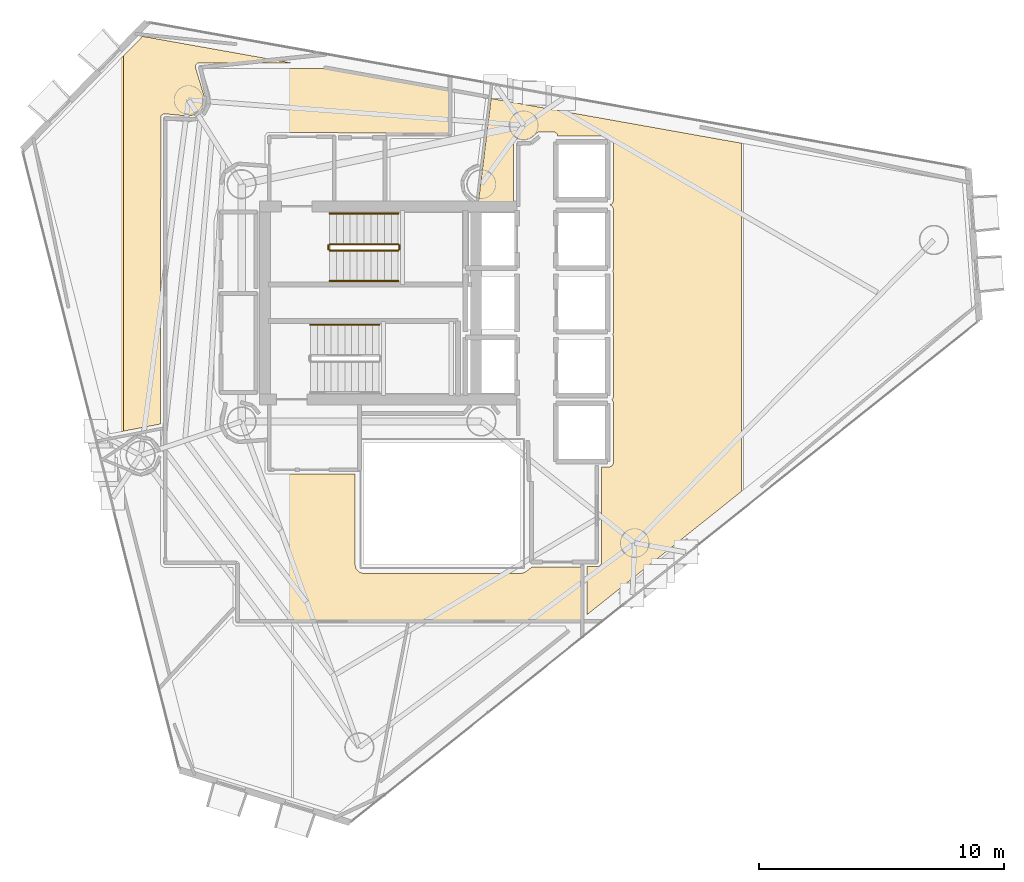
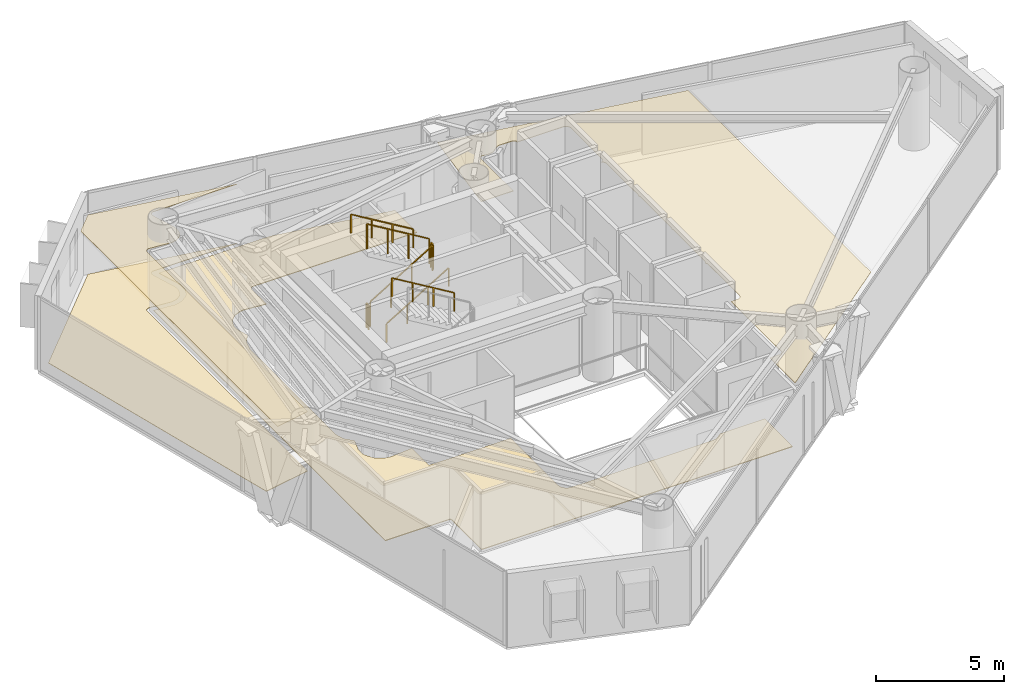
# One storey, part 21 of 22: 7 railings, 4 coverings.
"""IFC4 building model written with IfcOpenShell, lengths in metres."""

from ifc_helpers import new_model, si_unit, direction, frame, origin, origin_2d, place, context, subcontext, project, spatial, polyline, rectangle, outline, extrude, material, layer, layer_set, type_object, element, save


model = new_model("IFC4")

# Units and contexts
model_context = context("Model", 3, precision=1e-05, world=origin(), true_north=direction((0.0, 1.0)))
body_context = subcontext(model_context, "Body", "Model", "MODEL_VIEW")
ifc_project = project(units=[si_unit("LENGTHUNIT", "METRE"), si_unit("AREAUNIT", "SQUARE_METRE"), si_unit("VOLUMEUNIT", "CUBIC_METRE"), si_unit("PLANEANGLEUNIT", "RADIAN"), si_unit("MASSUNIT", "GRAM", prefix="KILO")], contexts=[model_context])

# Site, building, storey
site_placement = place(None, origin())
site = spatial("IfcSite", under=ifc_project, at=site_placement, CompositionType="ELEMENT")
building_placement = place(site_placement, origin())
building = spatial("IfcBuilding", under=site, at=building_placement, Name="Qianvela Tower", CompositionType="ELEMENT")
storey_placement = place(building_placement, frame((0.0, 0.0, 207.699951171875)))
storey = spatial("IfcBuildingStorey", under=building, at=storey_placement, Name="L53", CompositionType="ELEMENT", Elevation=207.699951171875)

# Coverings
ifc_material_1 = material(Name="Perforated Mineral Acoustic Ceiling Tile")
ifc_layer_1 = layer(ifc_material_1, 0.02490234375)
ifc_layer_set_1 = layer_set([ifc_layer_1], Name="Perforated Mineral Acoustic Ceiling Tile")
covering_type_1 = type_object("IfcCoveringType", Name="COV-CEIL-ACOUSTIC-25", PredefinedType="CEILING", material=ifc_layer_set_1)
covering_1_placement = place(storey_placement, frame((0.0, 0.0, 2.81494140625)))
element("IfcCovering", 1, at=covering_1_placement, inside=storey, type_object=covering_type_1, Name="L53 Acoustic Ceiling Bay 1 Student Reading Library L53-04", PredefinedType="CEILING", context=body_context, shape_type="SweptSolid", body=[
    extrude(outline(polyline([(42.70751953125, 17.920166015625), (43.157958984375, 17.92041015625), (43.165771484375, 17.9208984375), (43.173583984375, 17.921875), (43.18115234375, 17.923828125), (43.1884765625, 17.926513671875), (43.195556640625, 17.9296875), (43.202392578125, 17.933837890625), (43.20849609375, 17.9384765625), (43.21435546875, 17.94384765625), (43.2861328125, 18.015625), (43.29150390625, 18.021484375), (43.296142578125, 18.027587890625), (43.30029296875, 18.034423828125), (43.303466796875, 18.04150390625), (43.30615234375, 18.048828125), (43.30810546875, 18.056640625), (43.30908203125, 18.064208984375), (43.3095703125, 18.072265625), (43.309326171875, 21.980712890625), (43.60791015625, 21.982666015625), (43.615478515625, 21.983154296875), (43.623291015625, 21.984375), (43.630859375, 21.986083984375), (43.637939453125, 21.98876953125), (43.64501953125, 21.9921875), (43.716796875, 22.030517578125), (43.723388671875, 22.034423828125), (43.729736328125, 22.039306640625), (43.735595703125, 22.04443359375), (43.74072265625, 22.05029296875), (43.74560546875, 22.056640625), (43.74951171875, 22.063232421875), (43.787841796875, 22.135009765625), (43.791259765625, 22.14208984375), (43.7939453125, 22.1494140625), (43.7958984375, 22.156982421875), (43.796875, 22.164794921875), (43.79736328125, 22.172607421875), (43.79931640625, 24.61376953125), (43.799072265625, 24.62060546875), (43.798095703125, 24.627685546875), (43.79638671875, 24.634765625), (43.79443359375, 24.641357421875), (43.79150390625, 24.64794921875), (43.751220703125, 24.733154296875), (43.74755859375, 24.739990234375), (43.743408203125, 24.74658203125), (43.738525390625, 24.752197265625), (43.780517578125, 24.81494140625), (43.784423828125, 24.821533203125), (43.787841796875, 24.82861328125), (43.79052734375, 24.8359375), (43.79248046875, 24.843505859375), (43.793701171875, 24.851318359375), (43.7939453125, 24.859130859375), (43.800048828125, 27.2998046875), (43.799560546875, 27.307861328125), (43.79833984375, 27.315673828125), (43.79638671875, 27.323486328125), (43.793701171875, 27.3310546875), (43.7646484375, 27.39990234375), (43.793701171875, 27.468994140625), (43.79638671875, 27.476318359375), (43.79833984375, 27.484130859375), (43.799560546875, 27.491943359375), (43.800048828125, 27.5), (43.800048828125, 29.89990234375), (43.799560546875, 29.907958984375), (43.79833984375, 29.915771484375), (43.79638671875, 29.923583984375), (43.793701171875, 29.93115234375), (43.7646484375, 30.0), (43.793701171875, 30.06884765625), (43.79638671875, 30.076416015625), (43.79833984375, 30.084228515625), (43.799560546875, 30.092041015625), (43.800048828125, 30.10009765625), (43.79931640625, 32.513671875), (43.798828125, 32.522705078125), (43.79736328125, 32.53125), (43.794921875, 32.539794921875), (43.79150390625, 32.5478515625), (43.751220703125, 32.63330078125), (43.74755859375, 32.64013671875), (43.743408203125, 32.646728515625), (43.73828125, 32.652587890625), (43.732666015625, 32.658203125), (43.726806640625, 32.663330078125), (43.72021484375, 32.66748046875), (43.713134765625, 32.67138671875), (43.646484375, 32.702880859375), (43.722412109375, 32.739013671875), (43.729248046875, 32.74267578125), (43.73583984375, 32.746826171875), (43.741943359375, 32.751953125), (43.74755859375, 32.757568359375), (43.75244140625, 32.763427734375), (43.7568359375, 32.77001953125), (43.760498046875, 32.777099609375), (43.763427734375, 32.7841796875), (43.79541015625, 32.873046875), (43.79736328125, 32.879638671875), (43.798828125, 32.886474609375), (43.7998046875, 32.893310546875), (43.800048828125, 32.900146484375), (43.79736328125, 35.327392578125), (43.796875, 35.3359375), (43.79541015625, 35.344482421875), (43.793212890625, 35.352783203125), (43.7900390625, 35.36083984375), (43.785888671875, 35.368408203125), (43.7373046875, 35.44921875), (43.732666015625, 35.456298828125), (43.727294921875, 35.462890625), (43.72119140625, 35.46875), (43.71435546875, 35.47412109375), (43.70703125, 35.478515625), (43.699462890625, 35.482177734375), (43.624267578125, 35.51318359375), (43.616943359375, 35.515869140625), (43.609375, 35.517822265625), (43.6015625, 35.518798828125), (43.59375, 35.519287109375), (41.515625, 35.52001953125), (41.513916015625, 35.554931640625), (41.512939453125, 35.563232421875), (41.51123046875, 35.5712890625), (41.508544921875, 35.5791015625), (41.50537109375, 35.5869140625), (41.501220703125, 35.593994140625), (41.496337890625, 35.6005859375), (41.49072265625, 35.60693359375), (41.484619140625, 35.612548828125), (41.426513671875, 35.660400390625), (41.420166015625, 35.6650390625), (41.413330078125, 35.6689453125), (41.40625, 35.67236328125), (41.39892578125, 35.675048828125), (41.391357421875, 35.677001953125), (41.383544921875, 35.677978515625), (41.375732421875, 35.678466796875), (40.750244140625, 35.679931640625), (40.742919921875, 35.6796875), (40.7353515625, 35.6787109375), (40.728271484375, 35.677001953125), (40.72119140625, 35.674560546875), (40.71435546875, 35.671630859375), (40.7080078125, 35.668212890625), (40.701904296875, 35.663818359375), (40.361083984375, 35.406982421875), (40.127685546875, 35.360595703125), (39.859375, 35.396484375), (39.85107421875, 35.397216796875), (39.843017578125, 35.397216796875), (39.8349609375, 35.396240234375), (39.826904296875, 35.394287109375), (39.819091796875, 35.391845703125), (39.811767578125, 35.388427734375), (39.8046875, 35.38427734375), (39.798095703125, 35.37939453125), (39.7919921875, 35.3740234375), (39.78662109375, 35.367919921875), (39.78173828125, 35.361328125), (39.733154296875, 35.287841796875), (39.729248046875, 35.28125), (39.72607421875, 35.274169921875), (39.723388671875, 35.266845703125), (39.721435546875, 35.25927734375), (39.720458984375, 35.25146484375), (39.719970703125, 35.243896484375), (39.719970703125, 32.719970703125), (38.268310546875, 32.719970703125), (38.798828125, 37.051025390625), (49.027099609375, 35.2265625), (49.027099609375, 20.988525390625), (42.709716796875, 15.94677734375), (42.70751953125, 17.920166015625)])), origin(), (0.0, 0.0, 1.0), 0.025146484375),
])
covering_2_placement = place(storey_placement, frame((0.0, 0.0, 2.81494140625)))
element("IfcCovering", 2, at=covering_2_placement, inside=storey, type_object=covering_type_1, Name="L53 Acoustic Ceiling Bay 2 Student Fitness Gym L53-06", PredefinedType="CEILING", context=body_context, shape_type="SweptSolid", body=[
    extrude(outline(polyline([(30.622314453125, 38.50927734375), (26.848388671875, 38.506591796875), (26.8408203125, 38.506103515625), (26.8330078125, 38.5048828125), (26.8251953125, 38.503173828125), (26.818115234375, 38.50048828125), (26.810791015625, 38.4970703125), (26.80419921875, 38.4931640625), (26.7978515625, 38.48828125), (26.75048828125, 38.44970703125), (26.7451171875, 38.444580078125), (26.739990234375, 38.439208984375), (26.735595703125, 38.433349609375), (26.731689453125, 38.427001953125), (26.728271484375, 38.420654296875), (26.7255859375, 38.413818359375), (26.7236328125, 38.40673828125), (26.72216796875, 38.3994140625), (26.714111328125, 38.34619140625), (26.71337890625, 38.33740234375), (26.713623046875, 38.32861328125), (26.714599609375, 38.31982421875), (26.716796875, 38.311279296875), (27.0751953125, 37.12841796875), (27.0751953125, 36.864013671875), (26.97412109375, 36.61962890625), (26.902099609375, 36.531982421875), (26.682373046875, 36.385009765625), (26.423095703125, 36.33349609375), (25.457763671875, 36.42822265625), (25.449951171875, 36.4287109375), (25.442138671875, 36.42822265625), (25.434326171875, 36.427001953125), (25.4267578125, 36.42529296875), (25.41943359375, 36.422607421875), (25.412353515625, 36.419189453125), (25.405517578125, 36.4150390625), (25.33154296875, 36.36572265625), (25.3251953125, 36.361083984375), (25.319580078125, 36.355712890625), (25.314208984375, 36.35009765625), (25.3095703125, 36.34375), (25.305419921875, 36.3369140625), (25.30224609375, 36.329833984375), (25.299560546875, 36.322509765625), (25.297607421875, 36.31494140625), (25.29638671875, 36.30712890625), (25.296142578125, 36.29931640625), (25.2900390625, 23.7509765625), (23.768798828125, 23.455078125), (23.768798828125, 38.791259765625), (24.55224609375, 39.592041015625), (30.622314453125, 38.50927734375)])), origin(), (0.0, 0.0, 1.0), 0.025146484375),
])
ifc_material_2 = material(Name="Engineered Acoustic Oak Timber Flooring", Category="wood")
ifc_layer_2 = layer(ifc_material_2, 0.02001953125)
ifc_layer_set_2 = layer_set([ifc_layer_2], Name="Engineered Acoustic Oak Timber Flooring")
covering_type_2 = type_object("IfcCoveringType", Name="COV-FLOOR-OAK-20", PredefinedType="FLOORING", material=ifc_layer_set_2)
covering_3_placement = place(storey_placement, origin())
element("IfcCovering", 3, at=covering_3_placement, inside=storey, type_object=covering_type_2, Name="L53 Finish Flooring Student Fitness Gym L53-06", PredefinedType="FLOORING", context=body_context, shape_type="SweptSolid", body=[
    extrude(outline(polyline([(24.55224609375, 39.592041015625), (30.622314453125, 38.50927734375), (26.848388671875, 38.506591796875), (26.8408203125, 38.506103515625), (26.8330078125, 38.5048828125), (26.8251953125, 38.503173828125), (26.818115234375, 38.50048828125), (26.810791015625, 38.4970703125), (26.80419921875, 38.4931640625), (26.7978515625, 38.48828125), (26.75048828125, 38.44970703125), (26.7451171875, 38.444580078125), (26.739990234375, 38.439208984375), (26.735595703125, 38.433349609375), (26.731689453125, 38.427001953125), (26.728271484375, 38.420654296875), (26.7255859375, 38.413818359375), (26.7236328125, 38.40673828125), (26.72216796875, 38.3994140625), (26.714111328125, 38.34619140625), (26.71337890625, 38.33740234375), (26.713623046875, 38.32861328125), (26.714599609375, 38.31982421875), (26.716796875, 38.311279296875), (27.0751953125, 37.12841796875), (27.0751953125, 36.864013671875), (26.97412109375, 36.61962890625), (26.902099609375, 36.531982421875), (26.682373046875, 36.385009765625), (26.423095703125, 36.33349609375), (25.457763671875, 36.42822265625), (25.449951171875, 36.4287109375), (25.442138671875, 36.42822265625), (25.434326171875, 36.427001953125), (25.4267578125, 36.42529296875), (25.41943359375, 36.422607421875), (25.412353515625, 36.419189453125), (25.405517578125, 36.4150390625), (25.33154296875, 36.36572265625), (25.3251953125, 36.361083984375), (25.319580078125, 36.355712890625), (25.314208984375, 36.35009765625), (25.3095703125, 36.34375), (25.305419921875, 36.3369140625), (25.30224609375, 36.329833984375), (25.299560546875, 36.322509765625), (25.297607421875, 36.31494140625), (25.29638671875, 36.30712890625), (25.296142578125, 36.29931640625), (25.2900390625, 23.7509765625), (23.202392578125, 23.34521484375), (20.206298828125, 35.150146484375), (24.55224609375, 39.592041015625)])), origin(), (0.0, 0.0, 1.0), 0.02001953125),
])
ifc_material_3 = material(Name="Honed Stone Terrazzo Flooring", Category="masonry")
ifc_layer_3 = layer(ifc_material_3, 0.030029296875)
ifc_layer_set_3 = layer_set([ifc_layer_3], Name="Honed Stone Terrazzo Flooring")
covering_type_3 = type_object("IfcCoveringType", Name="COV-FLOOR-TERRAZZO-30", PredefinedType="FLOORING", material=ifc_layer_set_3)
covering_4_placement = place(storey_placement, origin())
element("IfcCovering", 4, at=covering_4_placement, inside=storey, type_object=covering_type_3, Name="L53 Finish Flooring L53 Floor Corridor", PredefinedType="FLOORING", context=body_context, shape_type="SweptSolid", body=[
    extrude(outline(polyline([(27.30908203125, 36.801513671875), (27.311767578125, 36.808837890625), (27.313720703125, 36.81640625), (27.31494140625, 36.82421875), (27.315185546875, 36.83203125), (27.315185546875, 37.152099609375), (27.31494140625, 37.159912109375), (27.313720703125, 37.16748046875), (27.311767578125, 37.17529296875), (26.979736328125, 38.27001953125), (31.964111328125, 38.27001953125), (37.070068359375, 37.359375), (37.070068359375, 35.64013671875), (29.68798828125, 35.660888671875), (29.680419921875, 35.660400390625), (29.672607421875, 35.6591796875), (29.664794921875, 35.657470703125), (29.657470703125, 35.65478515625), (29.650390625, 35.6513671875), (29.6435546875, 35.6474609375), (29.63720703125, 35.642578125), (29.63134765625, 35.637451171875), (29.626220703125, 35.631591796875), (29.576171875, 35.57080078125), (29.571533203125, 35.564453125), (29.5673828125, 35.5576171875), (29.564208984375, 35.550537109375), (29.561279296875, 35.543212890625), (29.5595703125, 35.53564453125), (29.558349609375, 35.52783203125), (29.55810546875, 35.52001953125), (29.55810546875, 34.35595703125), (28.60791015625, 34.44970703125), (28.60009765625, 34.449951171875), (28.59228515625, 34.44970703125), (28.43212890625, 34.433837890625), (28.42431640625, 34.4326171875), (28.416748046875, 34.430908203125), (28.409423828125, 34.42822265625), (28.11376953125, 34.3056640625), (28.106689453125, 34.302490234375), (28.10009765625, 34.29833984375), (28.09375, 34.293701171875), (28.087890625, 34.288330078125), (27.861572265625, 34.06201171875), (27.8564453125, 34.056396484375), (27.851806640625, 34.050048828125), (27.84765625, 34.043212890625), (27.84423828125, 34.0361328125), (27.7216796875, 33.740478515625), (27.71923828125, 33.733154296875), (27.71728515625, 33.7255859375), (27.716064453125, 33.7177734375), (27.700439453125, 33.557861328125), (27.699951171875, 33.550048828125), (27.700439453125, 33.542236328125), (27.716064453125, 33.382080078125), (27.71728515625, 33.37451171875), (27.71923828125, 33.36669921875), (27.865478515625, 32.884521484375), (27.60107421875, 32.52685546875), (27.5966796875, 32.5205078125), (27.593017578125, 32.513427734375), (27.590087890625, 32.50634765625), (27.587890625, 32.4990234375), (27.472412109375, 32.0458984375), (27.47119140625, 32.039306640625), (27.47021484375, 32.03271484375), (27.469970703125, 32.026123046875), (27.469970703125, 25.291259765625), (27.47021484375, 25.2841796875), (27.47119140625, 25.27734375), (27.47265625, 25.2705078125), (27.474853515625, 25.263916015625), (27.59326171875, 24.938232421875), (27.59619140625, 24.93115234375), (27.599853515625, 24.92431640625), (27.604248046875, 24.91796875), (27.609130859375, 24.911865234375), (27.89111328125, 24.599853515625), (27.71923828125, 24.033203125), (27.71728515625, 24.025634765625), (27.716064453125, 24.017822265625), (27.7158203125, 24.010009765625), (27.7158203125, 23.68994140625), (27.716064453125, 23.68212890625), (27.71728515625, 23.67431640625), (27.71923828125, 23.666748046875), (27.765869140625, 23.512939453125), (27.7685546875, 23.505615234375), (27.77197265625, 23.49853515625), (27.77587890625, 23.49169921875), (27.95361328125, 23.2255859375), (27.958251953125, 23.219482421875), (27.963623046875, 23.213623046875), (27.969482421875, 23.208251953125), (27.9755859375, 23.20361328125), (28.24169921875, 23.02587890625), (28.24853515625, 23.02197265625), (28.255615234375, 23.0185546875), (28.262939453125, 23.015869140625), (28.416748046875, 22.96923828125), (28.42431640625, 22.96728515625), (28.43212890625, 22.966064453125), (28.59228515625, 22.950439453125), (28.60009765625, 22.949951171875), (28.60791015625, 22.950439453125), (29.55810546875, 23.0439453125), (29.55810546875, 21.780029296875), (29.558349609375, 21.772216796875), (29.5595703125, 21.764404296875), (29.561279296875, 21.7568359375), (29.564208984375, 21.74951171875), (29.5673828125, 21.7421875), (29.571533203125, 21.735595703125), (29.576171875, 21.729248046875), (29.581298828125, 21.723388671875), (29.587158203125, 21.71826171875), (29.593505859375, 21.71337890625), (29.600341796875, 21.70947265625), (29.607421875, 21.7060546875), (29.61474609375, 21.703369140625), (29.622314453125, 21.701416015625), (29.630126953125, 21.700439453125), (29.637939453125, 21.699951171875), (33.239990234375, 21.699951171875), (33.239990234375, 18.0), (33.240478515625, 17.990234375), (33.242431640625, 17.980712890625), (33.275390625, 17.8486328125), (33.277587890625, 17.841796875), (33.2802734375, 17.8349609375), (33.283447265625, 17.82861328125), (33.287353515625, 17.822509765625), (33.29150390625, 17.81689453125), (33.29638671875, 17.811279296875), (33.411376953125, 17.696533203125), (33.41796875, 17.690673828125), (33.4248046875, 17.685791015625), (33.432373046875, 17.681396484375), (33.440185546875, 17.677978515625), (33.448486328125, 17.675537109375), (33.58056640625, 17.642333984375), (33.5869140625, 17.64111328125), (33.593505859375, 17.640380859375), (33.60009765625, 17.639892578125), (40.0, 17.639892578125), (40.006591796875, 17.640380859375), (40.012939453125, 17.64111328125), (40.019287109375, 17.642333984375), (40.1513671875, 17.675537109375), (40.15869140625, 17.677734375), (40.166015625, 17.6806640625), (40.172607421875, 17.68408203125), (40.17919921875, 17.6884765625), (40.45947265625, 17.89306640625), (42.469970703125, 17.899658203125), (42.469970703125, 15.75537109375), (42.438232421875, 15.72998046875), (28.47998046875, 15.72998046875), (28.47998046875, 18.050048828125), (28.4794921875, 18.057861328125), (28.478515625, 18.065673828125), (28.4765625, 18.0732421875), (28.473876953125, 18.08056640625), (28.470703125, 18.087646484375), (28.466552734375, 18.094482421875), (28.4619140625, 18.100830078125), (28.45654296875, 18.106689453125), (28.45068359375, 18.11181640625), (28.4443359375, 18.116455078125), (28.437744140625, 18.12060546875), (28.4306640625, 18.123779296875), (28.423095703125, 18.126708984375), (28.41552734375, 18.12841796875), (28.40771484375, 18.129638671875), (28.39990234375, 18.1298828125), (25.530029296875, 18.1298828125), (25.530029296875, 36.180419921875), (26.423095703125, 36.09228515625), (26.430908203125, 36.092041015625), (26.438720703125, 36.09228515625), (26.446533203125, 36.093505859375), (26.760498046875, 36.156005859375), (26.76806640625, 36.157958984375), (26.775390625, 36.160400390625), (26.782470703125, 36.163818359375), (26.789306640625, 36.16796875), (27.055419921875, 36.345703125), (27.0615234375, 36.350341796875), (27.0673828125, 36.355712890625), (27.07275390625, 36.361328125), (27.174560546875, 36.485595703125), (27.17919921875, 36.491943359375), (27.183349609375, 36.498779296875), (27.186767578125, 36.505859375), (27.30908203125, 36.801513671875)])), origin(), (0.0, 0.0, 1.0), 0.030029296875),
])

# Railings
ifc_material_4 = material(Name="Painted Tubular Steel Q355B", Category="steel")
railing_type_1 = type_object("IfcRailingType", Name="RL-STAIR-GUARD-1200", PredefinedType="GUARDRAIL", material=ifc_material_4)
railing_1_placement = place(storey_placement, frame((32.199951171875, 30.840087890625, 0.168212890625)))
element("IfcRailing", 5, at=railing_1_placement, inside=storey, type_object=railing_type_1, Name="L53 ST-1 stair guard 1", PredefinedType="GUARDRAIL", context=body_context, shape_type="SweptSolid", body=[
    extrude(rectangle(XDim=0.050048828125, YDim=0.0400390625, at=origin_2d()), frame((0.0, 0.0, 1.179931640625), z_axis=(0.857242210791, 0.0, 0.514913383045), x_axis=(0.0, 1.0, 0.0)), (0.0, 0.0, 1.0), 3.266357421875),
    extrude(rectangle(XDim=0.050048828125, YDim=0.050048828125, at=origin_2d()), origin(), (0.0, 0.0, 1.0), 1.159912109375),
    extrude(rectangle(XDim=0.050048828125, YDim=0.050048828125, at=origin_2d()), frame((0.933349609375, 0.0, 0.560546875)), (0.0, 0.0, 1.0), 1.159912109375),
    extrude(rectangle(XDim=0.050048828125, YDim=0.050048828125, at=origin_2d()), frame((1.86669921875, 0.0, 1.121337890625)), (0.0, 0.0, 1.0), 1.159912109375),
    extrude(rectangle(XDim=0.050048828125, YDim=0.050048828125, at=origin_2d()), frame((2.800048828125, 0.0, 1.681884765625)), (0.0, 0.0, 1.0), 1.159912109375),
])
railing_2_placement = place(storey_placement, frame((35.050048828125, 30.889892578125, 1.85009765625)))
element("IfcRailing", 6, at=railing_2_placement, inside=storey, type_object=railing_type_1, Name="L53 ST-1 stair guard 2", PredefinedType="GUARDRAIL", context=body_context, shape_type="SweptSolid", body=[
    extrude(rectangle(XDim=0.050048828125, YDim=0.0400390625, at=origin_2d()), frame((0.0, 0.0, 1.179931640625), z_axis=(0.0, 1.0, 0.0), x_axis=(-1.0, 0.0, 0.0)), (0.0, 0.0, 1.0), 0.16015625),
    extrude(rectangle(XDim=0.050048828125, YDim=0.050048828125, at=origin_2d()), origin(), (0.0, 0.0, 1.0), 1.159912109375),
    extrude(rectangle(XDim=0.050048828125, YDim=0.050048828125, at=origin_2d()), frame((0.0, 0.16015625, 0.0)), (0.0, 0.0, 1.0), 1.159912109375),
])
railing_3_placement = place(storey_placement, frame((35.0, 31.10009765625, 2.018310546875)))
element("IfcRailing", 7, at=railing_3_placement, inside=storey, type_object=railing_type_1, Name="L53 ST-1 stair guard 3", PredefinedType="GUARDRAIL", context=body_context, shape_type="SweptSolid", body=[
    extrude(rectangle(XDim=0.050048828125, YDim=0.0400390625, at=origin_2d()), frame((0.0, 0.0, 1.179931640625), z_axis=(-0.857275202839, 0.0, 0.514858452973), x_axis=(0.0, -1.0, 0.0)), (0.0, 0.0, 1.0), 3.26611328125),
    extrude(rectangle(XDim=0.050048828125, YDim=0.050048828125, at=origin_2d()), origin(), (0.0, 0.0, 1.0), 1.159912109375),
    extrude(rectangle(XDim=0.050048828125, YDim=0.050048828125, at=origin_2d()), frame((-0.933349609375, 0.0, 0.560546875)), (0.0, 0.0, 1.0), 1.159912109375),
    extrude(rectangle(XDim=0.050048828125, YDim=0.050048828125, at=origin_2d()), frame((-1.86669921875, 0.0, 1.12109375)), (0.0, 0.0, 1.0), 1.159912109375),
    extrude(rectangle(XDim=0.050048828125, YDim=0.050048828125, at=origin_2d()), frame((-2.800048828125, 0.0, 1.681640625)), (0.0, 0.0, 1.0), 1.159912109375),
])
railing_4_placement = place(storey_placement, frame((32.14990234375, 30.889892578125, 0.0)))
element("IfcRailing", 8, at=railing_4_placement, inside=storey, type_object=railing_type_1, Name="L53 ST-1 stair guard 4", PredefinedType="GUARDRAIL", context=body_context, shape_type="SweptSolid", body=[
    extrude(rectangle(XDim=0.050048828125, YDim=0.0400390625, at=origin_2d()), frame((0.0, 0.0, 1.179931640625), z_axis=(0.0, 1.0, 0.0), x_axis=(-1.0, 0.0, 0.0)), (0.0, 0.0, 1.0), 0.16015625),
    extrude(rectangle(XDim=0.050048828125, YDim=0.050048828125, at=origin_2d()), origin(), (0.0, 0.0, 1.0), 1.159912109375),
    extrude(rectangle(XDim=0.050048828125, YDim=0.050048828125, at=origin_2d()), frame((0.0, 0.16015625, 0.0)), (0.0, 0.0, 1.0), 1.159912109375),
])
ifc_material_5 = material(Name="Brushed Stainless Steel 304", Category="steel")
railing_type_2 = type_object("IfcRailingType", Name="RL-STAIR-HANDRAIL-900", PredefinedType="HANDRAIL", material=ifc_material_5)
railing_5_placement = place(storey_placement, frame((32.199951171875, 29.590087890625, 0.168212890625)))
element("IfcRailing", 9, at=railing_5_placement, inside=storey, type_object=railing_type_2, Name="L53 ST-1 stair handrail 1", PredefinedType="HANDRAIL", context=body_context, shape_type="SweptSolid", body=[
    extrude(rectangle(XDim=0.050048828125, YDim=0.0400390625, at=origin_2d()), frame((0.0, 0.0, 0.8798828125), z_axis=(0.857242210791, 0.0, 0.514913383045), x_axis=(0.0, 1.0, 0.0)), (0.0, 0.0, 1.0), 3.266357421875),
    extrude(rectangle(XDim=0.050048828125, YDim=0.050048828125, at=origin_2d()), origin(), (0.0, 0.0, 1.0), 0.85986328125),
    extrude(rectangle(XDim=0.050048828125, YDim=0.050048828125, at=origin_2d()), frame((0.933349609375, 0.0, 0.560546875)), (0.0, 0.0, 1.0), 0.85986328125),
    extrude(rectangle(XDim=0.050048828125, YDim=0.050048828125, at=origin_2d()), frame((1.86669921875, 0.0, 1.121337890625)), (0.0, 0.0, 1.0), 0.85986328125),
    extrude(rectangle(XDim=0.050048828125, YDim=0.050048828125, at=origin_2d()), frame((2.800048828125, 0.0, 1.681884765625)), (0.0, 0.0, 1.0), 0.85986328125),
])
for number, where, name in (
    (10, (35.0, 32.35009765625, 2.018310546875), "L53 ST-1 stair handrail 2"),
    (11, (34.219970703125, 27.81005859375, 2.018310546875), "L53 ST-2 stair handrail 2"),
):
    element("IfcRailing", number, at=place(storey_placement, frame(where)), inside=storey, type_object=railing_type_2, Name=name, PredefinedType="HANDRAIL", context=body_context, shape_type="SweptSolid", body=[
        extrude(rectangle(XDim=0.050048828125, YDim=0.0400390625, at=origin_2d()), frame((0.0, 0.0, 0.8798828125), z_axis=(-0.857275202839, 0.0, 0.514858452973), x_axis=(0.0, -1.0, 0.0)), (0.0, 0.0, 1.0), 3.26611328125),
        extrude(rectangle(XDim=0.050048828125, YDim=0.050048828125, at=origin_2d()), origin(), (0.0, 0.0, 1.0), 0.85986328125),
        extrude(rectangle(XDim=0.050048828125, YDim=0.050048828125, at=origin_2d()), frame((-0.933349609375, 0.0, 0.560546875)), (0.0, 0.0, 1.0), 0.85986328125),
        extrude(rectangle(XDim=0.050048828125, YDim=0.050048828125, at=origin_2d()), frame((-1.86669921875, 0.0, 1.12109375)), (0.0, 0.0, 1.0), 0.85986328125),
        extrude(rectangle(XDim=0.050048828125, YDim=0.050048828125, at=origin_2d()), frame((-2.800048828125, 0.0, 1.681640625)), (0.0, 0.0, 1.0), 0.85986328125),
    ])

save(model, "model.ifc")
